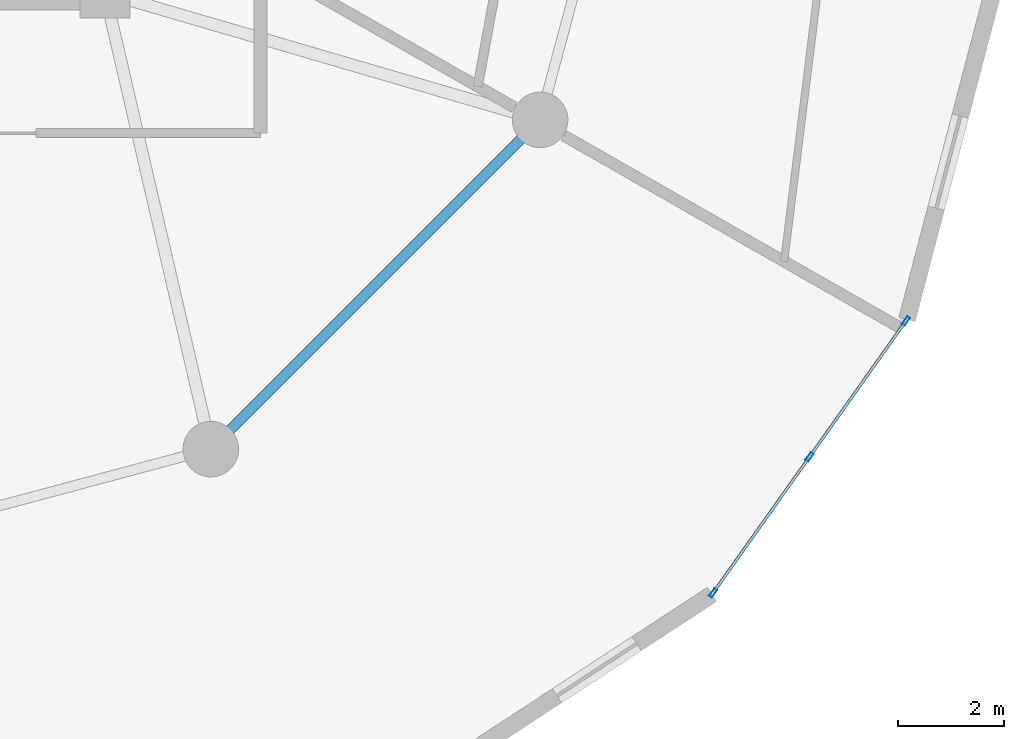
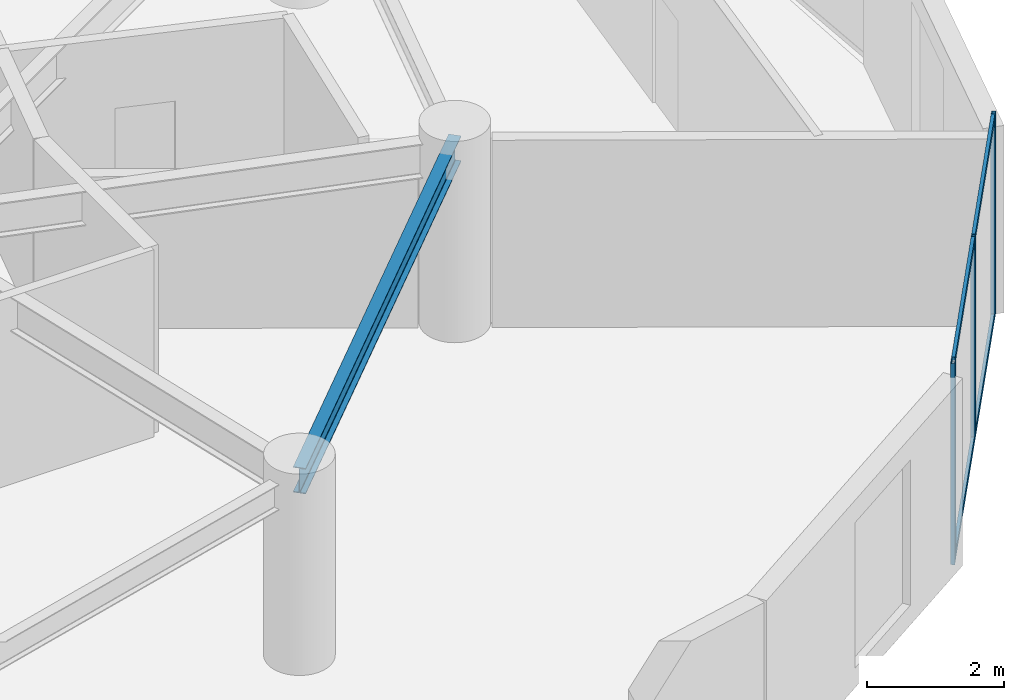
# One storey, part 9 of 22: 7 members, 1 beam, 1 element without a shape of its own.
"""IFC4 building model written with IfcOpenShell, lengths in metres."""

from ifc_helpers import new_model, si_unit, direction, frame, origin, origin_2d, place, context, subcontext, project, spatial, hollow_rectangle, i_section, extrude, source, transform, mapped, material, layer, layer_set, material_profile, profile_set, type_object, element, aggregate, save


model = new_model("IFC4")

# Units and contexts
model_context = context("Model", 3, precision=1e-05, world=origin(), true_north=direction((0.0, 1.0)))
body_context = subcontext(model_context, "Body", "Model", "MODEL_VIEW")
ifc_project = project(units=[si_unit("LENGTHUNIT", "METRE"), si_unit("AREAUNIT", "SQUARE_METRE"), si_unit("VOLUMEUNIT", "CUBIC_METRE"), si_unit("PLANEANGLEUNIT", "RADIAN"), si_unit("MASSUNIT", "GRAM", prefix="KILO")], contexts=[model_context])

# Site, building, storey
site_placement = place(None, origin())
site = spatial("IfcSite", under=ifc_project, at=site_placement, CompositionType="ELEMENT")
building_placement = place(site_placement, origin())
building = spatial("IfcBuilding", under=site, at=building_placement, Name="Solvirekh Grand Hotel", CompositionType="ELEMENT")
storey_placement = place(building_placement, frame((0.0, 0.0, 149.39990234375)))
storey = spatial("IfcBuildingStorey", under=building, at=storey_placement, Name="L38", CompositionType="ELEMENT", Elevation=149.39990234375)

# Beam
ifc_material_1 = material(Name="Steel S355", Category="steel")
ifc_material_profile_1 = material_profile(ifc_material_1, i_section(OverallWidth=0.18994140625, OverallDepth=0.45703125, WebThickness=0.009033203125, FlangeThickness=0.013916015625, FilletRadius=0.012939453125, at=origin_2d()), Name="W460X74")
ifc_profile_set_1 = profile_set([ifc_material_profile_1], Name="Steel S355")
beam_type = type_object("IfcBeamType", Name="Spandrel_Ring_W460", PredefinedType="SPANDREL", material=ifc_profile_set_1)
beam_placement = place(storey_placement, frame((8.5, -14.721923828125, 3.1220703125), z_axis=(0.707106781187, 0.707106781187, 0.0), x_axis=(-0.707106781187, 0.707106781187, 0.0)))
element("IfcBeam", 1, at=beam_placement, inside=storey, type_object=beam_type, Name="L38 perimeter spandrel beam 11", PredefinedType="SPANDREL", context=body_context, shape_type="SweptSolid", body=[
    extrude(i_section(OverallWidth=0.18994140625, OverallDepth=0.45703125, WebThickness=0.009033203125, FlangeThickness=0.013916015625, FilletRadius=0.012939453125, at=origin_2d()), origin(), (0.0, 0.0, 1.0), 8.799072265625),
])

# Curtain wall, members
ifc_material_2 = material(Name="Anodized Bronze Aluminium 6063-T6", Category="aluminium")
ifc_layer = layer(ifc_material_2, 0.175048828125)
ifc_layer_set = layer_set([ifc_layer], Name="Anodized Bronze Aluminium 6063-T6")
curtain_wall_type = type_object("IfcCurtainWallType", Name="CW_Sys3_MidZoneFlushBronzeCW", PredefinedType="NOTDEFINED", material=ifc_layer_set)
curtain_wall_placement = place(storey_placement, origin())
curtain_wall = element("IfcCurtainWall", 2, at=curtain_wall_placement, inside=storey, type_object=curtain_wall_type, Name="L38 unitised bronze-glass curtain wall CW-L38-C01", PredefinedType="NOTDEFINED")
ifc_material_profile_2 = material_profile(ifc_material_2, hollow_rectangle(XDim=0.06494140625, YDim=0.175048828125, WallThickness=0.0048828125, at=origin_2d()), Name="ALU RHS 175X65X5")
ifc_profile_set_2 = profile_set([ifc_material_profile_2], Name="Anodized Bronze Aluminium 6063-T6")
member_type_1 = type_object("IfcMemberType", Name="CWMullion_Sys3", PredefinedType="MULLION", material=ifc_profile_set_2)
shared_shape_1 = source(origin(), body_context, "Body", "SweptSolid", [
    extrude(hollow_rectangle(XDim=0.06494140625, YDim=0.175048828125, WallThickness=0.0048828125, at=origin_2d()), origin(), (0.0, 0.0, 1.0), 3.60009765625),
])
member_1_placement = place(storey_placement, frame((17.98974609375, -17.4404296875, 0.0), z_axis=(0.0, 0.0, 1.0), x_axis=(-0.815712684679, 0.578457272453, 0.0)))
member_1 = element("IfcMember", 3, at=member_1_placement, type_object=member_type_1, Name="U03 mullion 1", PredefinedType="MULLION", context=body_context, shape_type="MappedRepresentation", body=[
    mapped(shared_shape_1, transform((0.0, 0.0, 0.0), x_axis=(1.0, 0.0, 0.0), y_axis=(0.0, 1.0, 0.0), z_axis=(0.0, 0.0, 1.0), scale=1.0)),
])
member_2_placement = place(storey_placement, frame((19.81298828125, -14.869384765625, 0.0), z_axis=(0.0, 0.0, 1.0), x_axis=(-0.815712684679, 0.578457272453, 0.0)))
member_2 = element("IfcMember", 4, at=member_2_placement, type_object=member_type_1, Name="U03 mullion 2", PredefinedType="MULLION", context=body_context, shape_type="MappedRepresentation", body=[
    mapped(shared_shape_1, transform((0.0, 0.0, 0.0), x_axis=(1.0, 0.0, 0.0), y_axis=(0.0, 1.0, 0.0), z_axis=(0.0, 0.0, 1.0), scale=1.0)),
])
member_3_placement = place(storey_placement, frame((21.63623046875, -12.298583984375, 0.0), z_axis=(0.0, 0.0, 1.0), x_axis=(-0.815712684679, 0.578457272453, 0.0)))
member_3 = element("IfcMember", 5, at=member_3_placement, type_object=member_type_1, Name="U03 mullion 3", PredefinedType="MULLION", context=body_context, shape_type="MappedRepresentation", body=[
    mapped(shared_shape_1, transform((0.0, 0.0, 0.0), x_axis=(1.0, 0.0, 0.0), y_axis=(0.0, 1.0, 0.0), z_axis=(0.0, 0.0, 1.0), scale=1.0)),
])
ifc_material_profile_3 = material_profile(ifc_material_2, hollow_rectangle(XDim=0.054931640625, YDim=0.1201171875, WallThickness=0.00390625, at=origin_2d()), Name="ALU RHS 120X55X4")
ifc_profile_set_3 = profile_set([ifc_material_profile_3], Name="Anodized Bronze Aluminium 6063-T6")
member_type_2 = type_object("IfcMemberType", Name="CWTransom_Sys3", PredefinedType="USERDEFINED", material=ifc_profile_set_3)
shared_shape_2 = source(origin(), body_context, "Body", "SweptSolid", [
    extrude(hollow_rectangle(XDim=0.054931640625, YDim=0.1201171875, WallThickness=0.00390625, at=origin_2d()), origin(), (0.0, 0.0, 1.0), 3.0869140625),
])
member_4_placement = place(storey_placement, frame((18.008544921875, -17.4140625, 0.027587890625), z_axis=(0.578451741562, 0.815716606846, 0.0), x_axis=(-0.815716606846, 0.578451741562, 0.0)))
member_4 = element("IfcMember", 6, at=member_4_placement, type_object=member_type_2, Name="U03 transom 1.1", ObjectType="TRANSOM", PredefinedType="USERDEFINED", context=body_context, shape_type="MappedRepresentation", body=[
    mapped(shared_shape_2, transform((0.0, 0.0, 0.0), x_axis=(1.0, 0.0, 0.0), y_axis=(0.0, 1.0, 0.0), z_axis=(0.0, 0.0, 1.0), scale=1.0)),
])
member_5_placement = place(storey_placement, frame((18.008544921875, -17.4140625, 3.572509765625), z_axis=(0.578451741562, 0.815716606846, 0.0), x_axis=(-0.815716606846, 0.578451741562, 0.0)))
member_5 = element("IfcMember", 7, at=member_5_placement, type_object=member_type_2, Name="U03 transom 1.2", ObjectType="TRANSOM", PredefinedType="USERDEFINED", context=body_context, shape_type="MappedRepresentation", body=[
    mapped(shared_shape_2, transform((0.0, 0.0, 0.0), x_axis=(1.0, 0.0, 0.0), y_axis=(0.0, 1.0, 0.0), z_axis=(0.0, 0.0, 1.0), scale=1.0)),
])
member_6_placement = place(storey_placement, frame((19.831787109375, -14.843017578125, 0.027587890625), z_axis=(0.578451741562, 0.815716606846, 0.0), x_axis=(-0.815716606846, 0.578451741562, 0.0)))
member_6 = element("IfcMember", 8, at=member_6_placement, type_object=member_type_2, Name="U03 transom 2.1", ObjectType="TRANSOM", PredefinedType="USERDEFINED", context=body_context, shape_type="MappedRepresentation", body=[
    mapped(shared_shape_2, transform((0.0, 0.0, 0.0), x_axis=(1.0, 0.0, 0.0), y_axis=(0.0, 1.0, 0.0), z_axis=(0.0, 0.0, 1.0), scale=1.0)),
])
member_7_placement = place(storey_placement, frame((19.831787109375, -14.843017578125, 3.572509765625), z_axis=(0.578451741562, 0.815716606846, 0.0), x_axis=(-0.815716606846, 0.578451741562, 0.0)))
member_7 = element("IfcMember", 9, at=member_7_placement, type_object=member_type_2, Name="U03 transom 2.2", ObjectType="TRANSOM", PredefinedType="USERDEFINED", context=body_context, shape_type="MappedRepresentation", body=[
    mapped(shared_shape_2, transform((0.0, 0.0, 0.0), x_axis=(1.0, 0.0, 0.0), y_axis=(0.0, 1.0, 0.0), z_axis=(0.0, 0.0, 1.0), scale=1.0)),
])
aggregate(curtain_wall, [member_1, member_2, member_3, member_4, member_5, member_6, member_7])

save(model, "model.ifc")
